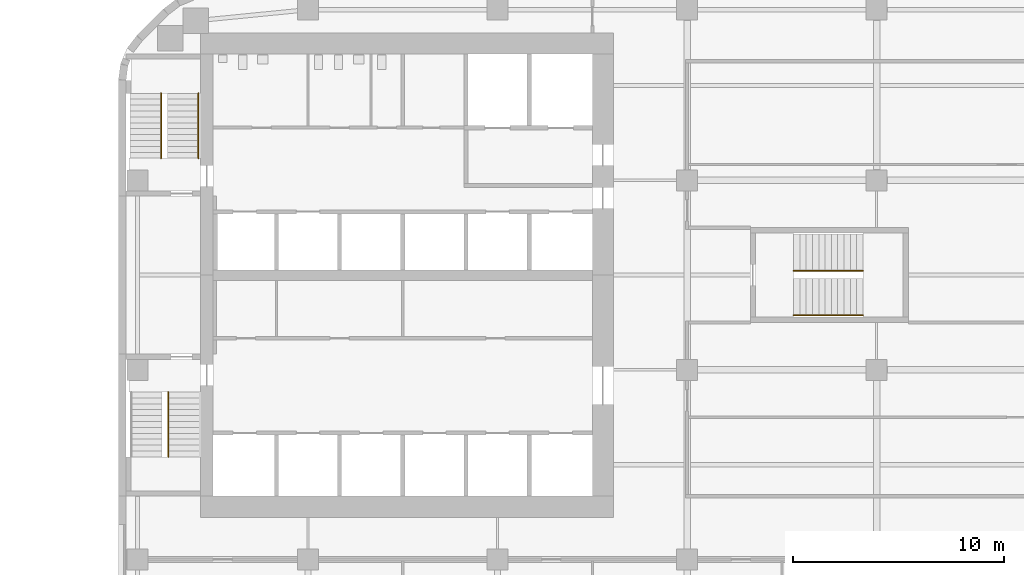
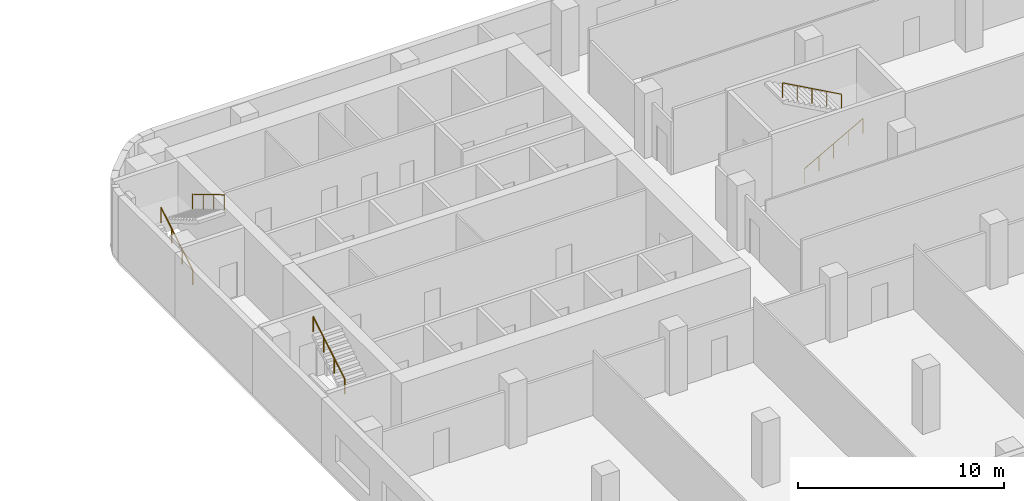
# One storey, part 14 of 15: 5 railings, 3 elements without a shape of their own.
"""IFC4 building model written with IfcOpenShell, lengths in metres."""

from ifc_helpers import new_model, si_unit, direction, frame, origin, origin_2d, place, context, subcontext, project, spatial, circle, extrude, material, type_object, element, aggregate, save


model = new_model("IFC4")

# Units and contexts
model_context = context("Model", 3, precision=1e-05, world=origin(), true_north=direction((0.0, 1.0)))
body_context = subcontext(model_context, "Body", "Model", "MODEL_VIEW")
ifc_project = project(units=[si_unit("LENGTHUNIT", "METRE"), si_unit("AREAUNIT", "SQUARE_METRE"), si_unit("VOLUMEUNIT", "CUBIC_METRE"), si_unit("PLANEANGLEUNIT", "RADIAN"), si_unit("MASSUNIT", "GRAM", prefix="KILO")], contexts=[model_context])

# Site, building, storey
site_placement = place(None, origin())
site = spatial("IfcSite", under=ifc_project, at=site_placement, CompositionType="ELEMENT")
building_placement = place(site_placement, origin())
building = spatial("IfcBuilding", under=site, at=building_placement, Name="Cinnabar Reach Civic Tower", CompositionType="ELEMENT")
storey_placement = place(building_placement, frame((0.0, 0.0, 63.0)))
storey = spatial("IfcBuildingStorey", under=building, at=storey_placement, Name="L14", CompositionType="ELEMENT", Elevation=63.0)

# Stair, railing
ifc_material_1 = material(Name="Concrete C40/50", Category="concrete")
stair_type = type_object("IfcStairType", Name="T1 Exit stair, half-turn", PredefinedType="HALF_TURN_STAIR", material=ifc_material_1)
stair_1_placement = place(storey_placement, origin())
stair_1 = element("IfcStair", 1, at=stair_1_placement, inside=storey, type_object=stair_type, Name="Stair T1-S1", PredefinedType="HALF_TURN_STAIR")
ifc_material_2 = material(Name="Stainless steel tube", Category="steel")
railing_type = type_object("IfcRailingType", Name="T1 Stair handrail, stainless tube 48", PredefinedType="HANDRAIL", material=ifc_material_2)
railing_1_placement = place(storey_placement, frame((2.375, 22.87, 2.1667)))
railing_1 = element("IfcRailing", 2, at=railing_1_placement, type_object=railing_type, Name="T1-S1 handrail 2", PredefinedType="HANDRAIL", context=body_context, shape_type="SweptSolid", body=[
    extrude(circle(Radius=0.024, at=origin_2d()), frame((0.0, 0.0, 0.876), z_axis=(0.0, 0.859296971757, 0.511476992962), x_axis=(-1.0, 0.0, 0.0)), (0.0, 0.0, 1.0), 3.5843),
    extrude(circle(Radius=0.021, at=origin_2d()), origin(), (0.0, 0.0, 1.0), 0.852),
    extrude(circle(Radius=0.021, at=origin_2d()), frame((0.0, 1.0267, 0.6111)), (0.0, 0.0, 1.0), 0.852),
    extrude(circle(Radius=0.021, at=origin_2d()), frame((0.0, 2.0533, 1.2222)), (0.0, 0.0, 1.0), 0.852),
    extrude(circle(Radius=0.021, at=origin_2d()), frame((0.0, 3.08, 1.8333)), (0.0, 0.0, 1.0), 0.852),
])
aggregate(stair_1, [railing_1])

# Stair, railings
stair_2_placement = place(storey_placement, origin())
stair_2 = element("IfcStair", 3, at=stair_2_placement, inside=storey, type_object=stair_type, Name="Stair T1-S2", PredefinedType="HALF_TURN_STAIR")
railing_2_placement = place(storey_placement, frame((2.025, 37.05, 0.1667)))
railing_2 = element("IfcRailing", 4, at=railing_2_placement, type_object=railing_type, Name="T1-S2 handrail 1", PredefinedType="HANDRAIL", context=body_context, shape_type="SweptSolid", body=[
    extrude(circle(Radius=0.024, at=origin_2d()), frame((0.0, 0.0, 0.876), z_axis=(0.0, 0.859296971757, 0.511476992962), x_axis=(-1.0, 0.0, 0.0)), (0.0, 0.0, 1.0), 3.5843),
    extrude(circle(Radius=0.021, at=origin_2d()), origin(), (0.0, 0.0, 1.0), 0.852),
    extrude(circle(Radius=0.021, at=origin_2d()), frame((0.0, 1.0267, 0.6111)), (0.0, 0.0, 1.0), 0.852),
    extrude(circle(Radius=0.021, at=origin_2d()), frame((0.0, 2.0533, 1.2222)), (0.0, 0.0, 1.0), 0.852),
    extrude(circle(Radius=0.021, at=origin_2d()), frame((0.0, 3.08, 1.8333)), (0.0, 0.0, 1.0), 0.852),
])
railing_3_placement = place(storey_placement, frame((3.8, 40.13, 2.1667)))
railing_3 = element("IfcRailing", 5, at=railing_3_placement, type_object=railing_type, Name="T1-S2 handrail 2", PredefinedType="HANDRAIL", context=body_context, shape_type="SweptSolid", body=[
    extrude(circle(Radius=0.024, at=origin_2d()), frame((0.0, 0.0, 0.876), z_axis=(0.0, -0.859296971757, 0.511476992962), x_axis=(1.0, 0.0, 0.0)), (0.0, 0.0, 1.0), 3.5843),
    extrude(circle(Radius=0.021, at=origin_2d()), origin(), (0.0, 0.0, 1.0), 0.852),
    extrude(circle(Radius=0.021, at=origin_2d()), frame((0.0, -1.0267, 0.6111)), (0.0, 0.0, 1.0), 0.852),
    extrude(circle(Radius=0.021, at=origin_2d()), frame((0.0, -2.0533, 1.2222)), (0.0, 0.0, 1.0), 0.852),
    extrude(circle(Radius=0.021, at=origin_2d()), frame((0.0, -3.08, 1.8333)), (0.0, 0.0, 1.0), 0.852),
])
aggregate(stair_2, [railing_2, railing_3])

stair_3_placement = place(storey_placement, origin())
stair_3 = element("IfcStair", 6, at=stair_3_placement, inside=storey, type_object=stair_type, Name="Stair T1-S3", PredefinedType="HALF_TURN_STAIR")
railing_4_placement = place(storey_placement, frame((32.05, 29.6, 0.1667)))
railing_4 = element("IfcRailing", 7, at=railing_4_placement, type_object=railing_type, Name="T1-S3 handrail 1", PredefinedType="HANDRAIL", context=body_context, shape_type="SweptSolid", body=[
    extrude(circle(Radius=0.024, at=origin_2d()), frame((0.0, 0.0, 0.876), z_axis=(0.874161024642, 0.0, 0.485636183781), x_axis=(0.0, 1.0, 0.0)), (0.0, 0.0, 1.0), 3.775),
    extrude(circle(Radius=0.021, at=origin_2d()), origin(), (0.0, 0.0, 1.0), 0.852),
    extrude(circle(Radius=0.021, at=origin_2d()), frame((0.825, 0.0, 0.4583)), (0.0, 0.0, 1.0), 0.852),
    extrude(circle(Radius=0.021, at=origin_2d()), frame((1.65, 0.0, 0.9167)), (0.0, 0.0, 1.0), 0.852),
    extrude(circle(Radius=0.021, at=origin_2d()), frame((2.475, 0.0, 1.375)), (0.0, 0.0, 1.0), 0.852),
    extrude(circle(Radius=0.021, at=origin_2d()), frame((3.3, 0.0, 1.8333)), (0.0, 0.0, 1.0), 0.852),
])
railing_5_placement = place(storey_placement, frame((35.35, 31.7, 2.1667)))
railing_5 = element("IfcRailing", 8, at=railing_5_placement, type_object=railing_type, Name="T1-S3 handrail 2", PredefinedType="HANDRAIL", context=body_context, shape_type="SweptSolid", body=[
    extrude(circle(Radius=0.024, at=origin_2d()), frame((0.0, 0.0, 0.876), z_axis=(-0.874161024642, 0.0, 0.485636183781), x_axis=(0.0, -1.0, 0.0)), (0.0, 0.0, 1.0), 3.775),
    extrude(circle(Radius=0.021, at=origin_2d()), origin(), (0.0, 0.0, 1.0), 0.852),
    extrude(circle(Radius=0.021, at=origin_2d()), frame((-0.825, 0.0, 0.4583)), (0.0, 0.0, 1.0), 0.852),
    extrude(circle(Radius=0.021, at=origin_2d()), frame((-1.65, 0.0, 0.9166)), (0.0, 0.0, 1.0), 0.852),
    extrude(circle(Radius=0.021, at=origin_2d()), frame((-2.475, 0.0, 1.375)), (0.0, 0.0, 1.0), 0.852),
    extrude(circle(Radius=0.021, at=origin_2d()), frame((-3.3, 0.0, 1.8333)), (0.0, 0.0, 1.0), 0.852),
])
aggregate(stair_3, [railing_4, railing_5])

save(model, "model.ifc")
